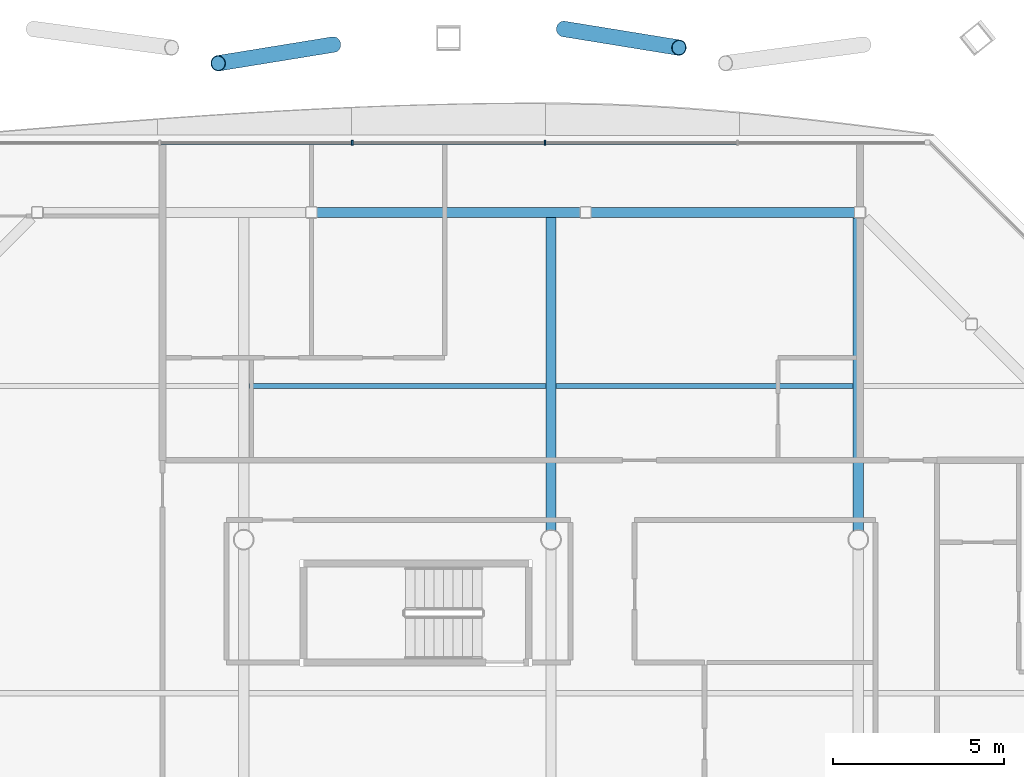
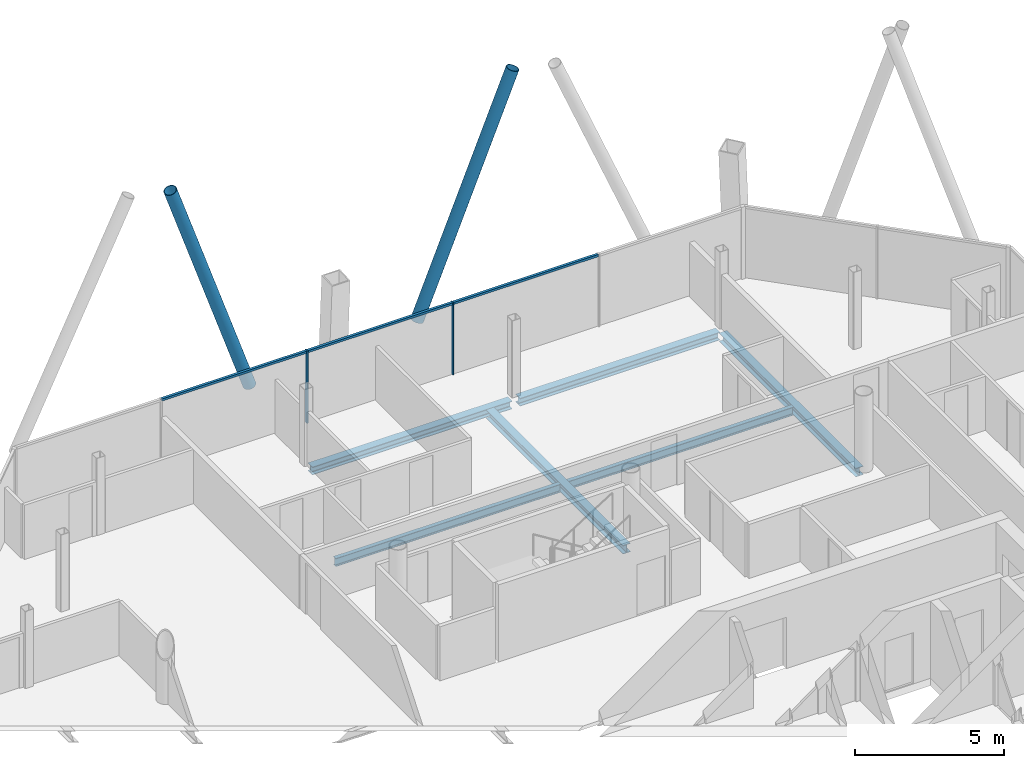
# One storey, part 11 of 20: 7 members, 6 beams, 1 element without a shape of its own.
"""IFC4 building model written with IfcOpenShell, lengths in metres."""

from ifc_helpers import new_model, si_unit, direction, frame, origin, origin_2d, place, context, subcontext, project, spatial, rectangle, hollow_circle, i_section, extrude, material, material_profile, profile_set, type_object, element, aggregate, save


model = new_model("IFC4")

# Units and contexts
model_context = context("Model", 3, precision=1e-05, world=origin(), true_north=direction((0.0, 1.0)))
body_context = subcontext(model_context, "Body", "Model", "MODEL_VIEW")
ifc_project = project(units=[si_unit("LENGTHUNIT", "METRE"), si_unit("AREAUNIT", "SQUARE_METRE"), si_unit("VOLUMEUNIT", "CUBIC_METRE"), si_unit("PLANEANGLEUNIT", "RADIAN"), si_unit("MASSUNIT", "GRAM", prefix="KILO")], contexts=[model_context])

# Site, building, storey
site_placement = place(None, origin())
site = spatial("IfcSite", under=ifc_project, at=site_placement, CompositionType="ELEMENT")
building_placement = place(site_placement, origin())
building = spatial("IfcBuilding", under=site, at=building_placement, Name="Tskaro Facet Tower", CompositionType="ELEMENT")
storey_placement = place(building_placement, frame((0.0, 0.0, 181.64990234375)))
storey = spatial("IfcBuildingStorey", under=building, at=storey_placement, Name="L45", CompositionType="ELEMENT", Elevation=181.64990234375)

# Members
ifc_material_1 = material(Name="Steel S355J2H", Category="steel")
ifc_material_profile_1 = material_profile(ifc_material_1, hollow_circle(Radius=0.228515625, WallThickness=0.02001953125, at=origin_2d()), Name="CHS 457x20")
ifc_profile_set_1 = profile_set([ifc_material_profile_1], Name="Steel S355J2H")
member_type_1 = type_object("IfcMemberType", Name="CHS 457x20 brace", PredefinedType="BRACE", material=ifc_profile_set_1)
for number, where, z_axis, x_axis, name in (
    (1, (0.374267578125, 23.956787109375, 0.0), (0.335765446851, -0.054515423105, 0.9403667547), (0.16026299412, 0.987074350146, 0.0), "CHS 457x20 XB07B/4"),
    (2, (-6.374267578125, 23.499755859375, 0.0), (-0.335765446851, -0.054515423105, 0.9403667547), (0.16026299412, -0.987074350146, 0.0), "CHS 457x20 XB08A/4"),
):
    element("IfcMember", number, at=place(storey_placement, frame(where, z_axis=z_axis, x_axis=x_axis)), inside=storey, type_object=member_type_1, Name=name, PredefinedType="BRACE", context=body_context, shape_type="SweptSolid", body=[
        extrude(hollow_circle(Radius=0.228515625, WallThickness=0.02001953125, at=origin_2d()), origin(), (0.0, 0.0, 1.0), 10.049560546875),
    ])

# Curtain wall, members
ifc_material_2 = material(Name="Bronze anodised aluminium 6063-T6", Category="aluminium")
curtain_wall_type = type_object("IfcCurtainWallType", Name="Bronze residence curtain wall (FW3)", PredefinedType="NOTDEFINED", material=ifc_material_2)
curtain_wall_placement = place(storey_placement, origin())
curtain_wall = element("IfcCurtainWall", 3, at=curtain_wall_placement, inside=storey, type_object=curtain_wall_type, Name="FW3 north facet L45", PredefinedType="NOTDEFINED")
ifc_material_profile_2 = material_profile(ifc_material_2, rectangle(XDim=0.050048828125, YDim=0.139892578125, at=origin_2d()), Name="Mullion 50x140")
ifc_profile_set_2 = profile_set([ifc_material_profile_2], Name="Bronze anodised aluminium 6063-T6")
member_type_2 = type_object("IfcMemberType", Name="FW3 bronze mullion 50x140", PredefinedType="MULLION", material=ifc_profile_set_2)
member_1_placement = place(storey_placement, frame((-0.179931640625, 20.6279296875, 0.0), z_axis=(0.0, 0.0, 1.0), x_axis=(-1.0, 0.0, 0.0)))
member_1 = element("IfcMember", 4, at=member_1_placement, type_object=member_type_2, Name="FW3 north mullion 2", PredefinedType="MULLION", context=body_context, shape_type="SweptSolid", body=[
    extrude(rectangle(XDim=0.050048828125, YDim=0.139892578125, at=origin_2d()), origin(), (0.0, 0.0, 1.0), 2.9501953125),
])
member_2_placement = place(storey_placement, frame((-5.820068359375, 20.6279296875, 0.0), z_axis=(0.0, 0.0, 1.0), x_axis=(-1.0, 0.0, 0.0)))
member_2 = element("IfcMember", 5, at=member_2_placement, type_object=member_type_2, Name="FW3 north mullion 3", PredefinedType="MULLION", context=body_context, shape_type="SweptSolid", body=[
    extrude(rectangle(XDim=0.050048828125, YDim=0.139892578125, at=origin_2d()), origin(), (0.0, 0.0, 1.0), 2.9501953125),
])
ifc_material_profile_3 = material_profile(ifc_material_2, rectangle(XDim=0.10009765625, YDim=0.090087890625, at=origin_2d()), Name="Transom 100x90")
ifc_profile_set_3 = profile_set([ifc_material_profile_3], Name="Bronze anodised aluminium 6063-T6")
member_type_3 = type_object("IfcMemberType", Name="FW3 bronze transom 100x90", PredefinedType="USERDEFINED", material=ifc_profile_set_3)
member_3_placement = place(storey_placement, frame((5.43505859375, 20.6279296875, 2.905029296875), z_axis=(-1.0, 0.0, 0.0), x_axis=(0.0, -1.0, 0.0)))
member_3 = element("IfcMember", 6, at=member_3_placement, type_object=member_type_3, Name="FW3 north transom 2.1", ObjectType="TRANSOM", PredefinedType="USERDEFINED", context=body_context, shape_type="SweptSolid", body=[
    extrude(rectangle(XDim=0.10009765625, YDim=0.090087890625, at=origin_2d()), origin(), (0.0, 0.0, 1.0), 5.590087890625),
])
member_4_placement = place(storey_placement, frame((-0.205078125, 20.6279296875, 2.905029296875), z_axis=(-1.0, 0.0, 0.0), x_axis=(0.0, -1.0, 0.0)))
member_4 = element("IfcMember", 7, at=member_4_placement, type_object=member_type_3, Name="FW3 north transom 3.1", ObjectType="TRANSOM", PredefinedType="USERDEFINED", context=body_context, shape_type="SweptSolid", body=[
    extrude(rectangle(XDim=0.10009765625, YDim=0.090087890625, at=origin_2d()), origin(), (0.0, 0.0, 1.0), 5.58984375),
])
member_5_placement = place(storey_placement, frame((-5.844970703125, 20.6279296875, 2.905029296875), z_axis=(-1.0, 0.0, 0.0), x_axis=(0.0, -1.0, 0.0)))
member_5 = element("IfcMember", 8, at=member_5_placement, type_object=member_type_3, Name="FW3 north transom 4.1", ObjectType="TRANSOM", PredefinedType="USERDEFINED", context=body_context, shape_type="SweptSolid", body=[
    extrude(rectangle(XDim=0.10009765625, YDim=0.090087890625, at=origin_2d()), origin(), (0.0, 0.0, 1.0), 5.590087890625),
])
aggregate(curtain_wall, [member_1, member_2, member_3, member_4, member_5])

# Beams
ifc_material_3 = material(Name="Steel S355J2", Category="steel")
ifc_material_profile_4 = material_profile(ifc_material_3, i_section(OverallWidth=0.300048828125, OverallDepth=0.320068359375, WebThickness=0.011474609375, FlangeThickness=0.0205078125, FilletRadius=0.027099609375, at=origin_2d()), Name="HE 320 B")
ifc_profile_set_4 = profile_set([ifc_material_profile_4], Name="Steel S355J2")
beam_type_1 = type_object("IfcBeamType", Name="HE 320 B ring beam", PredefinedType="BEAM", material=ifc_profile_set_4)
beam_1_placement = place(storey_placement, frame((8.89111328125, 18.5830078125, -0.2998046875), z_axis=(-1.0, 0.0, 0.0), x_axis=(0.0, -1.0, 0.0)))
element("IfcBeam", 9, at=beam_1_placement, inside=storey, type_object=beam_type_1, Name="HE 320 B EB12-4", PredefinedType="BEAM", context=body_context, shape_type="SweptSolid", body=[
    extrude(i_section(OverallWidth=0.300048828125, OverallDepth=0.320068359375, WebThickness=0.011474609375, FlangeThickness=0.0205078125, FilletRadius=0.027099609375, at=origin_2d()), origin(), (0.0, 0.0, 1.0), 7.72119140625),
])
beam_2_placement = place(storey_placement, frame((0.860107421875, 18.5830078125, -0.2998046875), z_axis=(-1.0, 0.0, 0.0), x_axis=(0.0, -1.0, 0.0)))
element("IfcBeam", 10, at=beam_2_placement, inside=storey, type_object=beam_type_1, Name="HE 320 B EB13-4", PredefinedType="BEAM", context=body_context, shape_type="SweptSolid", body=[
    extrude(i_section(OverallWidth=0.300048828125, OverallDepth=0.320068359375, WebThickness=0.011474609375, FlangeThickness=0.0205078125, FilletRadius=0.027099609375, at=origin_2d()), origin(), (0.0, 0.0, 1.0), 7.72021484375),
])
ifc_material_profile_5 = material_profile(ifc_material_3, i_section(OverallWidth=0.300048828125, OverallDepth=0.35009765625, WebThickness=0.010009765625, FlangeThickness=0.017578125, FilletRadius=0.027099609375, at=origin_2d()), Name="HE 360 A")
ifc_profile_set_5 = profile_set([ifc_material_profile_5], Name="Steel S355J2")
beam_type_2 = type_object("IfcBeamType", Name="HE 360 A girder", PredefinedType="BEAM", material=ifc_profile_set_5)
beam_3_placement = place(storey_placement, frame((0.0, 9.27490234375, -0.31494140625), z_axis=(0.0, 1.0, 0.0), x_axis=(-1.0, 0.0, 0.0)))
element("IfcBeam", 11, at=beam_3_placement, inside=storey, type_object=beam_type_2, Name="HE 360 A GB4-3-4", PredefinedType="BEAM", context=body_context, shape_type="SweptSolid", body=[
    extrude(i_section(OverallWidth=0.300048828125, OverallDepth=0.35009765625, WebThickness=0.010009765625, FlangeThickness=0.017578125, FilletRadius=0.027099609375, at=origin_2d()), origin(), (0.0, 0.0, 1.0), 9.158203125),
])
beam_4_placement = place(storey_placement, frame((9.0, 9.27490234375, -0.31494140625), z_axis=(0.0, 1.0, 0.0), x_axis=(-1.0, 0.0, 0.0)))
element("IfcBeam", 12, at=beam_4_placement, inside=storey, type_object=beam_type_2, Name="HE 360 A GB5-3-4", PredefinedType="BEAM", context=body_context, shape_type="SweptSolid", body=[
    extrude(i_section(OverallWidth=0.300048828125, OverallDepth=0.35009765625, WebThickness=0.010009765625, FlangeThickness=0.017578125, FilletRadius=0.027099609375, at=origin_2d()), origin(), (0.0, 0.0, 1.0), 9.14208984375),
])
ifc_material_profile_6 = material_profile(ifc_material_3, i_section(OverallWidth=0.159912109375, OverallDepth=0.330078125, WebThickness=0.007568359375, FlangeThickness=0.011474609375, FilletRadius=0.01806640625, at=origin_2d()), Name="IPE 330")
ifc_profile_set_6 = profile_set([ifc_material_profile_6], Name="Steel S355J2")
beam_type_3 = type_object("IfcBeamType", Name="IPE 330 secondary beam", PredefinedType="BEAM", material=ifc_profile_set_6)
for number, where, z_axis, x_axis, name in (
    (13, (-8.85009765625, 13.5, -0.304931640625), (1.0, 0.0, 0.0), (0.0, 1.0, 0.0), "IPE 330 SB5a-3-4"),
    (14, (0.14990234375, 13.5, -0.304931640625), (1.0, 0.0, 0.0), (0.0, 1.0, 0.0), "IPE 330 SB5a-4-4"),
):
    element("IfcBeam", number, at=place(storey_placement, frame(where, z_axis=z_axis, x_axis=x_axis)), inside=storey, type_object=beam_type_3, Name=name, PredefinedType="BEAM", context=body_context, shape_type="SweptSolid", body=[
        extrude(i_section(OverallWidth=0.159912109375, OverallDepth=0.330078125, WebThickness=0.007568359375, FlangeThickness=0.011474609375, FilletRadius=0.01806640625, at=origin_2d()), origin(), (0.0, 0.0, 1.0), 8.7001953125),
    ])

save(model, "model.ifc")
